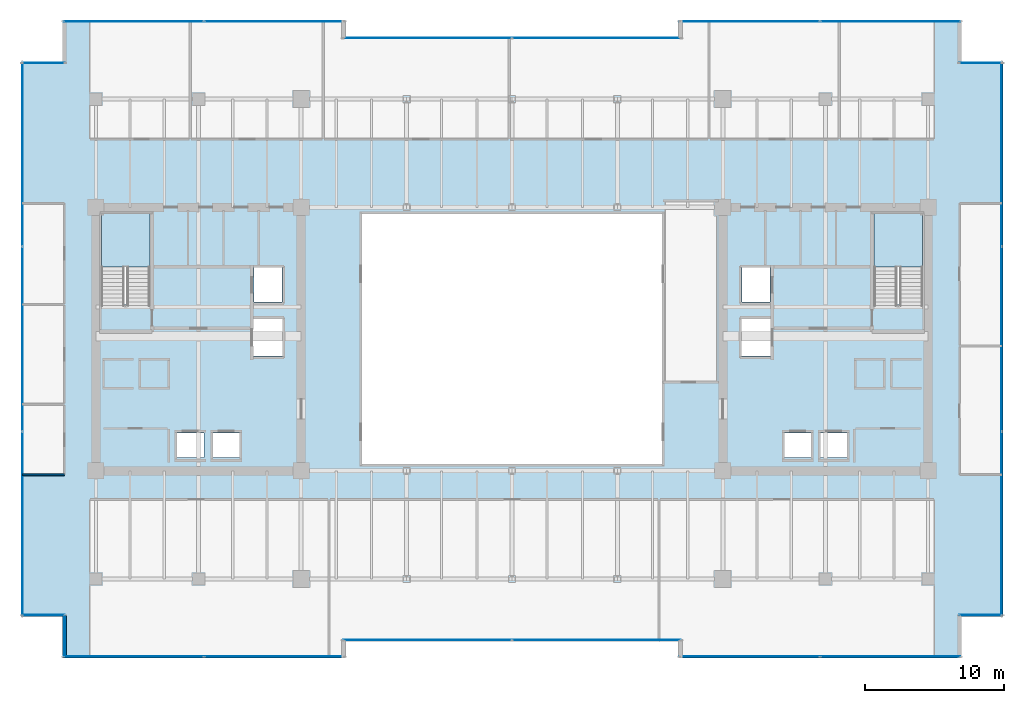
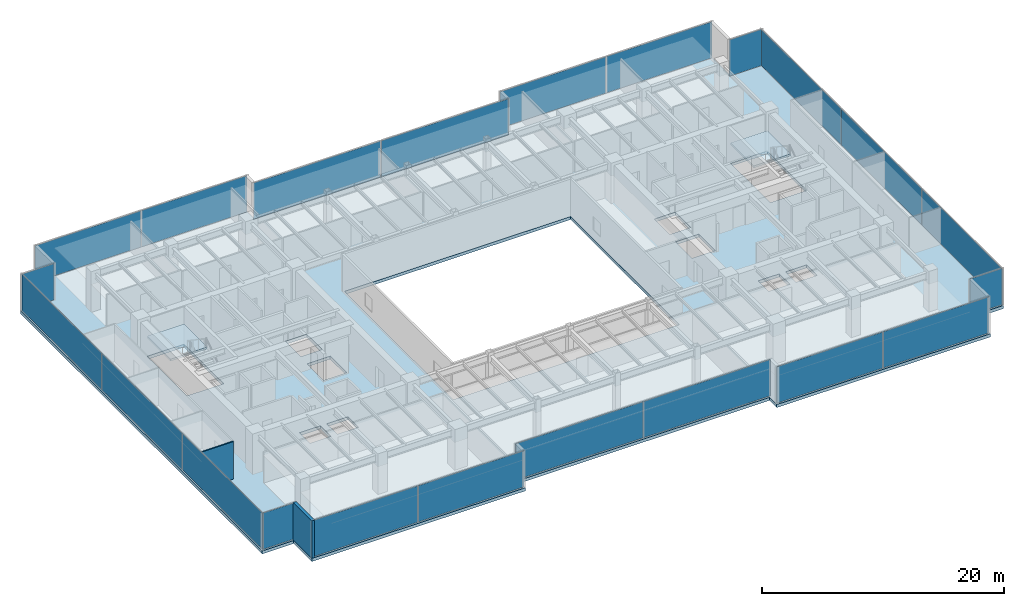
# One storey, part 24 of 33: 22 plates, 3 slabs, 2 walls, 14 elements without a shape of their own.
"""IFC4 building model written with IfcOpenShell, lengths in metres."""

import ifcopenshell
import ifcopenshell.guid

model = None  # the IFC model being written
_history = None  # IfcOwnerHistory: only IFC2X3 demands one
_inside = {}  # id of a spatial element -> (the spatial element, [elements in it])
_under = {}  # id of a project, library or spatial element -> (it, [spatial elements below it])
_declared = {}  # id of a project -> (the project, [libraries it declares])
_typed = {}  # id of a type object -> (the type object, [elements of that type])
_made_of = {}  # id of a material, layer set ... -> (it, [elements and type objects made of it])


def new_model(schema):
    """Start an empty IFC model of exactly this schema.

    Asked for "IFC4X3", IfcOpenShell would pick the latest addendum, in which some entities
    have other attributes; the version numbers below select the first issue.
    IFC2X3 requires an IfcOwnerHistory on every rooted entity: one is made here for all.
    """
    global model, _history
    if schema == "IFC4X3":
        model = ifcopenshell.file(schema_version=(4, 3, 0, 0))
    else:
        model = ifcopenshell.file(schema=schema)
    _inside.clear()
    _under.clear()
    _declared.clear()
    _typed.clear()
    _made_of.clear()
    _history = None
    if model.schema == "IFC2X3":
        org = make("IfcOrganization", Name="unknown")
        user = make(
            "IfcPersonAndOrganization",
            ThePerson=make("IfcPerson", FamilyName="unknown"),
            TheOrganization=org,
        )
        app = make(
            "IfcApplication",
            ApplicationDeveloper=org,
            Version="unknown",
            ApplicationFullName="unknown",
            ApplicationIdentifier="unknown",
        )
        _history = make(
            "IfcOwnerHistory",
            OwningUser=user,
            OwningApplication=app,
            ChangeAction="ADDED",
            CreationDate=0,
        )
    return model


def make(cls, **values):
    """One entity of the class cls with the attributes given. An attribute that is None is left unset."""
    return model.create_entity(
        cls, **{name: value for name, value in values.items() if value is not None}
    )


def rooted(cls, **values):
    """An entity with a GlobalId (a new one), such as an element, a storey or a relation."""
    return make(cls, GlobalId=ifcopenshell.guid.new(), OwnerHistory=_history, **values)


def si_unit(unit_type, name, prefix=None):
    """IfcSIUnit, for example si_unit("LENGTHUNIT", "METRE", prefix="MILLI")."""
    return make("IfcSIUnit", UnitType=unit_type, Prefix=prefix, Name=name)


def assignment(units):
    """IfcUnitAssignment: the units of a project."""
    return None if units is None else make("IfcUnitAssignment", Units=units)


def point(xyz):
    """IfcCartesianPoint."""
    return None if xyz is None else make("IfcCartesianPoint", Coordinates=xyz)


def direction(xyz):
    """IfcDirection."""
    return None if xyz is None else make("IfcDirection", DirectionRatios=xyz)


def frame(location, z_axis=None, x_axis=None):
    """IfcAxis2Placement3D, a coordinate frame: its origin and axes. An axis left out is left unset."""
    return make(
        "IfcAxis2Placement3D",
        Location=point(location),
        Axis=direction(z_axis),
        RefDirection=direction(x_axis),
    )


def frame_2d(location, x_axis=None):
    """IfcAxis2Placement2D, a coordinate frame in the plane: its origin and x axis."""
    return make(
        "IfcAxis2Placement2D", Location=point(location), RefDirection=direction(x_axis)
    )


def origin():
    """The frame at (0, 0, 0) with its axes left unset."""
    return frame((0.0, 0.0, 0.0))


def origin_2d():
    """The frame at (0, 0) in the plane with its x axis left unset."""
    return frame_2d((0.0, 0.0))


def place(relative_to, where):
    """IfcLocalPlacement: puts the frame where relative to a parent placement (None: the world)."""
    return make(
        "IfcLocalPlacement", PlacementRelTo=relative_to, RelativePlacement=where
    )


def context(
    kind, dimensions, precision=None, world=None, true_north=None, identifier=None
):
    """IfcGeometricRepresentationContext, for example the 3D "Model" context."""
    return make(
        "IfcGeometricRepresentationContext",
        ContextIdentifier=identifier,
        ContextType=kind,
        CoordinateSpaceDimension=dimensions,
        Precision=precision,
        WorldCoordinateSystem=world,
        TrueNorth=true_north,
    )


def subcontext(parent, identifier, kind, view, scale=None):
    """IfcGeometricRepresentationSubContext, for example "Body" below "Model"."""
    return make(
        "IfcGeometricRepresentationSubContext",
        ContextIdentifier=identifier,
        ContextType=kind,
        ParentContext=parent,
        TargetScale=scale,
        TargetView=view,
    )


def project(units=None, contexts=None):
    """IfcProject with its units and contexts."""
    return rooted(
        "IfcProject",
        Name="project",
        RepresentationContexts=contexts,
        UnitsInContext=assignment(units),
    )


def spatial(cls, under=None, at=None, **own):
    """A site, building, storey or space (cls), placed at a placement, below another one or the project."""
    s = rooted(cls, ObjectPlacement=at, **own)
    if under is not None:
        _under.setdefault(under.id(), (under, []))[1].append(s)
    return s


def polyline(points):
    """IfcPolyline through the points."""
    return make("IfcPolyline", Points=[point(p) for p in points])


def profile(cls, at=None, kind="AREA", **sizes):
    """A parametric profile (cls). Its sizes go by their IFC names, for example OverallWidth=200.0."""
    return make(cls, ProfileType=kind, Position=at, **sizes)


def rectangle(**sizes):
    """IfcRectangleProfileDef."""
    return profile("IfcRectangleProfileDef", **sizes)


def outline(outer, holes=None, kind="AREA"):
    """IfcArbitraryClosedProfileDef: a profile drawn as a closed curve; with holes, ...WithVoids."""
    if holes is None:
        return make("IfcArbitraryClosedProfileDef", ProfileType=kind, OuterCurve=outer)
    return make(
        "IfcArbitraryProfileDefWithVoids",
        ProfileType=kind,
        OuterCurve=outer,
        InnerCurves=holes,
    )


def extrude(swept, where, along, depth):
    """IfcExtrudedAreaSolid: the profile swept, set in the frame where, extruded along a direction by depth."""
    return make(
        "IfcExtrudedAreaSolid",
        SweptArea=swept,
        Position=where,
        ExtrudedDirection=direction(along),
        Depth=depth,
    )


def shape(context_of_items, identifier, shape_type, items):
    """IfcShapeRepresentation: the items that make up one representation, for example the "Body"."""
    return make(
        "IfcShapeRepresentation",
        ContextOfItems=context_of_items,
        RepresentationIdentifier=identifier,
        RepresentationType=shape_type,
        Items=items,
    )


def source(mapping_origin, context_of_items, identifier, shape_type, items):
    """IfcRepresentationMap: a shape defined once, which mapped items show again and again."""
    return make(
        "IfcRepresentationMap",
        MappingOrigin=mapping_origin,
        MappedRepresentation=shape(context_of_items, identifier, shape_type, items),
    )


def transform(
    local_origin,
    x_axis=None,
    y_axis=None,
    z_axis=None,
    scale=None,
    scale2=None,
    scale3=None,
    uniform=True,
):
    """IfcCartesianTransformationOperator3D, or its non-uniform kind. x_axis, y_axis, z_axis: its Axis1, 2, 3."""
    if uniform:
        return make(
            "IfcCartesianTransformationOperator3D",
            Axis1=direction(x_axis),
            Axis2=direction(y_axis),
            LocalOrigin=point(local_origin),
            Scale=scale,
            Axis3=direction(z_axis),
        )
    return make(
        "IfcCartesianTransformationOperator3DnonUniform",
        Axis1=direction(x_axis),
        Axis2=direction(y_axis),
        LocalOrigin=point(local_origin),
        Scale=scale,
        Axis3=direction(z_axis),
        Scale2=scale2,
        Scale3=scale3,
    )


def mapped(mapping_source, mapping_target):
    """IfcMappedItem: shows the shape of a source again, moved by a transform."""
    return make(
        "IfcMappedItem", MappingSource=mapping_source, MappingTarget=mapping_target
    )


def material(Name=None, Category=None):
    """IfcMaterial."""
    return make("IfcMaterial", Name=Name, Category=Category)


def layer(
    of_material, thickness, ventilated=None, Name=None, Category=None, Priority=None
):
    """IfcMaterialLayer: one layer of a wall or slab, of a material (None: an air gap)."""
    return make(
        "IfcMaterialLayer",
        Material=of_material,
        LayerThickness=thickness,
        IsVentilated=ventilated,
        Name=Name,
        Category=Category,
        Priority=Priority,
    )


def layer_set(layers, Name=None):
    """IfcMaterialLayerSet."""
    return make("IfcMaterialLayerSet", MaterialLayers=layers, LayerSetName=Name)


def made_of(thing, what):
    """Note that an element or type object is made of a material, layer set ...; save() writes the relation."""
    if what is not None:
        _made_of.setdefault(what.id(), (what, []))[1].append(thing)
    return thing


def type_object(cls, material=None, **own):
    """A type object (cls), such as IfcWallType, which elements share."""
    return made_of(rooted(cls, **own), material)


def type_shapes(of_type, sources):
    """Give a type object the sources (RepresentationMaps) that its elements show as mapped items."""
    of_type.RepresentationMaps = sources


def element(
    cls,
    number,
    at=None,
    inside=None,
    cuts=None,
    type_object=None,
    material=None,
    context=None,
    identifier="Body",
    shape_type=None,
    held_by="IfcProductDefinitionShape",
    body=None,
    shapes=None,
    **own,
):
    """One element of the class cls, such as IfcWall. Its Tag is "e" and its number.

    at: its placement. inside: the storey or other place that contains it. cuts: it is an
    opening in that element (IfcRelVoidsElement). A single representation is given by context,
    identifier, shape_type and body (its items); several are given by shapes. held_by: the class
    of the entity that holds the representations. save() writes the other relations.
    """
    e = rooted(cls, Tag="e%d" % number, ObjectPlacement=at, **own)
    if body is not None:
        shapes = [shape(context, identifier, shape_type, body)]
    if shapes is not None:
        e.Representation = make(held_by, Representations=shapes)
    if inside is not None:
        _inside.setdefault(inside.id(), (inside, []))[1].append(e)
    if cuts is not None:
        rooted(
            "IfcRelVoidsElement", RelatingBuildingElement=cuts, RelatedOpeningElement=e
        )
    if type_object is not None:
        _typed.setdefault(type_object.id(), (type_object, []))[1].append(e)
    return made_of(e, material)


def aggregate(whole, parts):
    """IfcRelAggregates: a whole, such as a stair, and the parts it consists of."""
    return rooted("IfcRelAggregates", RelatingObject=whole, RelatedObjects=parts)


def save(model, path):
    """Write the relations noted so far, then the file.

    IfcRelAggregates (storeys below a building ...), IfcRelContainedInSpatialStructure (elements
    in a storey), IfcRelDefinesByType, IfcRelAssociatesMaterial and IfcRelDeclares: one each for
    every whole, place, type object, material and project.
    """
    for whole, parts in _under.values():
        aggregate(whole, parts)
    for where, things in _inside.values():
        rooted(
            "IfcRelContainedInSpatialStructure",
            RelatedElements=things,
            RelatingStructure=where,
        )
    for kind, things in _typed.values():
        rooted("IfcRelDefinesByType", RelatedObjects=things, RelatingType=kind)
    for what, things in _made_of.values():
        rooted("IfcRelAssociatesMaterial", RelatedObjects=things, RelatingMaterial=what)
    for by, libraries in _declared.values():
        rooted("IfcRelDeclares", RelatingContext=by, RelatedDefinitions=libraries)
    model.write(path)


model = new_model("IFC4")

# Units and contexts
model_context = context("Model", 3, precision=1e-05, world=origin(), true_north=direction((0.0, 1.0)))
body_context = subcontext(model_context, "Body", "Model", "MODEL_VIEW")
ifc_project = project(units=[si_unit("LENGTHUNIT", "METRE"), si_unit("AREAUNIT", "SQUARE_METRE"), si_unit("VOLUMEUNIT", "CUBIC_METRE"), si_unit("PLANEANGLEUNIT", "RADIAN"), si_unit("MASSUNIT", "GRAM", prefix="KILO")], contexts=[model_context])

# Site, building, storey
site_placement = place(None, origin())
site = spatial("IfcSite", under=ifc_project, at=site_placement, CompositionType="ELEMENT")
building_placement = place(site_placement, origin())
building = spatial("IfcBuilding", under=site, at=building_placement, Name="Haelvirn Gate Laboratories", CompositionType="ELEMENT")
storey_placement = place(building_placement, frame((0.0, 0.0, 137.89990234375)))
storey = spatial("IfcBuildingStorey", under=building, at=storey_placement, Name="L33", CompositionType="ELEMENT", Elevation=137.89990234375)

# Stair, slab
ifc_material_1 = material(Name="Concrete C40/50", Category="concrete")
stair_type = type_object("IfcStairType", Name="ST-DOG-1650-R22", PredefinedType="HALF_TURN_STAIR", material=ifc_material_1)
stair_1_placement = place(storey_placement, origin())
stair_1 = element("IfcStair", 1, at=stair_1_placement, inside=storey, type_object=stair_type, Name="L33 Escape Stair ST1", PredefinedType="HALF_TURN_STAIR")
ifc_layer_1 = layer(ifc_material_1, 0.199951171875, Name="SL-STAIR-LND")
ifc_layer_set_1 = layer_set([ifc_layer_1], Name="Concrete C40/50")
slab_type_1 = type_object("IfcSlabType", Name="SL-STAIR-LND", PredefinedType="LANDING", material=ifc_layer_set_1)
slab_1_placement = place(storey_placement, frame((0.0, 0.0, 1.85009765625)))
slab_1 = element("IfcSlab", 2, at=slab_1_placement, type_object=slab_type_1, Name="ST1 landing 1", PredefinedType="LANDING", context=body_context, shape_type="SweptSolid", body=[
    extrude(outline(polyline([(11.300048828125, 29.5), (11.300048828125, 33.35009765625), (7.800048828125, 33.35009765625), (7.800048828125, 29.5), (11.300048828125, 29.5)])), origin(), (0.0, 0.0, 1.0), 0.199951171875),
])
aggregate(stair_1, [slab_1])

stair_2_placement = place(storey_placement, origin())
stair_2 = element("IfcStair", 3, at=stair_2_placement, inside=storey, type_object=stair_type, Name="L33 Escape Stair ST2", PredefinedType="HALF_TURN_STAIR")
slab_2_placement = place(storey_placement, frame((0.0, 0.0, 1.85009765625)))
slab_2 = element("IfcSlab", 4, at=slab_2_placement, type_object=slab_type_1, Name="ST2 landing 1", PredefinedType="LANDING", context=body_context, shape_type="SweptSolid", body=[
    extrude(outline(polyline([(67.0, 29.5), (67.0, 33.35009765625), (63.5, 33.35009765625), (63.5, 29.5), (67.0, 29.5)])), origin(), (0.0, 0.0, 1.0), 0.199951171875),
])
aggregate(stair_2, [slab_2])

# Slab
ifc_layer_2 = layer(ifc_material_1, 0.31005859375, Name="SL-Z2-310")
ifc_layer_set_2 = layer_set([ifc_layer_2], Name="Concrete C40/50")
slab_type_2 = type_object("IfcSlabType", Name="SL-Z2-310", PredefinedType="FLOOR", material=ifc_layer_set_2)
slab_3_placement = place(storey_placement, frame((0.0, 0.0, -0.309814453125)))
element("IfcSlab", 5, at=slab_3_placement, inside=storey, type_object=slab_type_2, Name="L33 Structural Slab MAIN", PredefinedType="FLOOR", context=body_context, shape_type="SweptSolid", body=[
    extrude(outline(polyline([(5.0, 1.300048828125), (25.39990234375, 1.300048828125), (25.39990234375, 2.5), (49.39990234375, 2.5), (49.39990234375, 1.300048828125), (69.800048828125, 1.300048828125), (69.800048828125, 4.300048828125), (72.800048828125, 4.300048828125), (72.800048828125, 44.300048828125), (69.800048828125, 44.300048828125), (69.800048828125, 47.300048828125), (49.39990234375, 47.300048828125), (49.39990234375, 46.10009765625), (25.39990234375, 46.10009765625), (25.39990234375, 47.300048828125), (5.0, 47.300048828125), (5.0, 44.300048828125), (2.0, 44.300048828125), (2.0, 4.300048828125), (5.0, 4.300048828125), (5.0, 1.300048828125)]), holes=[polyline([(26.60009765625, 15.300048828125), (48.199951171875, 15.300048828125), (48.199951171875, 33.300048828125), (26.60009765625, 33.300048828125), (26.60009765625, 15.300048828125)]), polyline([(11.300048828125, 26.780029296875), (11.300048828125, 33.35009765625), (7.800048828125, 33.35009765625), (7.800048828125, 26.780029296875), (11.300048828125, 26.780029296875)]), polyline([(67.0, 26.780029296875), (67.0, 33.35009765625), (63.5, 33.35009765625), (63.5, 26.780029296875), (67.0, 26.780029296875)]), polyline([(13.18994140625, 15.77001953125), (15.2099609375, 15.77001953125), (15.2099609375, 17.510009765625), (13.18994140625, 17.510009765625), (13.18994140625, 15.77001953125)]), polyline([(15.7900390625, 15.77001953125), (17.81005859375, 15.77001953125), (17.81005859375, 17.510009765625), (15.7900390625, 17.510009765625), (15.7900390625, 15.77001953125)]), polyline([(18.7900390625, 26.969970703125), (20.81005859375, 26.969970703125), (20.81005859375, 29.510009765625), (18.7900390625, 29.510009765625), (18.7900390625, 26.969970703125)]), polyline([(18.68994140625, 23.070068359375), (20.909912109375, 23.070068359375), (20.909912109375, 25.81005859375), (18.68994140625, 25.81005859375), (18.68994140625, 23.070068359375)]), polyline([(59.590087890625, 15.77001953125), (61.610107421875, 15.77001953125), (61.610107421875, 17.510009765625), (59.590087890625, 17.510009765625), (59.590087890625, 15.77001953125)]), polyline([(56.989990234375, 15.77001953125), (59.010009765625, 15.77001953125), (59.010009765625, 17.510009765625), (56.989990234375, 17.510009765625), (56.989990234375, 15.77001953125)]), polyline([(53.989990234375, 26.969970703125), (56.010009765625, 26.969970703125), (56.010009765625, 29.510009765625), (53.989990234375, 29.510009765625), (53.989990234375, 26.969970703125)]), polyline([(53.889892578125, 23.070068359375), (56.110107421875, 23.070068359375), (56.110107421875, 25.81005859375), (53.889892578125, 25.81005859375), (53.889892578125, 23.070068359375)])]), origin(), (0.0, 0.0, 1.0), 0.309814453125),
])

# Curtain wall, plates
ifc_material_2 = material(Name="Anodised bronze unitised aluminium & triple low-E glass", Category="aluminium")
ifc_layer_3 = layer(ifc_material_2, 0.179931640625, Name="CW-SYS-3")
ifc_layer_set_3 = layer_set([ifc_layer_3], Name="Anodised bronze unitised aluminium & triple low-E glass")
curtain_wall_type_1 = type_object("IfcCurtainWallType", Name="CW-SYS-3", PredefinedType="NOTDEFINED", material=ifc_layer_set_3)
curtain_wall_1_placement = place(storey_placement, origin())
curtain_wall_1 = element("IfcCurtainWall", 6, at=curtain_wall_1_placement, inside=storey, type_object=curtain_wall_type_1, Name="L33 Unitised Curtain Wall CW-L33-P0-E00-1", PredefinedType="NOTDEFINED")
ifc_material_3 = material(Name="High-selectivity bronze triple IGU 40 mm", Category="glass")
ifc_layer_4 = layer(ifc_material_3, 0.0400390625, Name="CWP-IGU-40")
ifc_layer_set_4 = layer_set([ifc_layer_4], Name="High-selectivity bronze triple IGU 40 mm")
plate_type_1 = type_object("IfcPlateType", Name="CWP-IGU-40", PredefinedType="CURTAIN_PANEL", material=ifc_layer_set_4)
shared_shape_1 = source(origin(), body_context, "Body", "SweptSolid", [
    extrude(rectangle(XDim=10.08740234375, YDim=0.0400390625, at=origin_2d()), origin(), (0.0, 0.0, 1.0), 3.659912109375),
])
plate_1_placement = place(storey_placement, frame((10.11865234375, 1.39990234375, 0.06494140625), z_axis=(0.0, 0.0, 1.0), x_axis=(1.0, 0.0, 0.0)))
plate_1 = element("IfcPlate", 7, at=plate_1_placement, type_object=plate_type_1, Name="CW3 panel 1.1", PredefinedType="CURTAIN_PANEL", context=body_context, shape_type="MappedRepresentation", body=[
    mapped(shared_shape_1, transform((0.0, 0.0, 0.0), scale=1.0)),
])
plate_2_placement = place(storey_placement, frame((20.28125, 1.39990234375, 0.06494140625), z_axis=(0.0, 0.0, 1.0), x_axis=(1.0, 0.0, 0.0)))
plate_2 = element("IfcPlate", 8, at=plate_2_placement, type_object=plate_type_1, Name="CW3 panel 2.1", PredefinedType="CURTAIN_PANEL", context=body_context, shape_type="MappedRepresentation", body=[
    mapped(shared_shape_1, transform((0.0, 0.0, 0.0), scale=1.0)),
])
aggregate(curtain_wall_1, [plate_1, plate_2])

curtain_wall_2_placement = place(storey_placement, origin())
curtain_wall_2 = element("IfcCurtainWall", 9, at=curtain_wall_2_placement, inside=storey, type_object=curtain_wall_type_1, Name="L33 Unitised Curtain Wall CW-L33-P0-E04-1", PredefinedType="NOTDEFINED")
plate_3_placement = place(storey_placement, frame((54.518798828125, 1.39990234375, 0.06494140625), z_axis=(0.0, 0.0, 1.0), x_axis=(1.0, 0.0, 0.0)))
plate_3 = element("IfcPlate", 10, at=plate_3_placement, type_object=plate_type_1, Name="CW3 panel 1.1", PredefinedType="CURTAIN_PANEL", context=body_context, shape_type="MappedRepresentation", body=[
    mapped(shared_shape_1, transform((0.0, 0.0, 0.0), scale=1.0)),
])
plate_4_placement = place(storey_placement, frame((64.68115234375, 1.39990234375, 0.06494140625), z_axis=(0.0, 0.0, 1.0), x_axis=(1.0, 0.0, 0.0)))
plate_4 = element("IfcPlate", 11, at=plate_4_placement, type_object=plate_type_1, Name="CW3 panel 2.1", PredefinedType="CURTAIN_PANEL", context=body_context, shape_type="MappedRepresentation", body=[
    mapped(shared_shape_1, transform((0.0, 0.0, 0.0), scale=1.0)),
])
aggregate(curtain_wall_2, [plate_3, plate_4])

curtain_wall_3_placement = place(storey_placement, origin())
curtain_wall_3 = element("IfcCurtainWall", 12, at=curtain_wall_3_placement, inside=storey, type_object=curtain_wall_type_1, Name="L33 Unitised Curtain Wall CW-L33-P0-E10-1", PredefinedType="NOTDEFINED")
plate_5_placement = place(storey_placement, frame((54.518798828125, 47.199951171875, 0.06494140625), z_axis=(0.0, 0.0, 1.0), x_axis=(1.0, 0.0, 0.0)))
plate_5 = element("IfcPlate", 13, at=plate_5_placement, type_object=plate_type_1, Name="CW3 panel 1.1", PredefinedType="CURTAIN_PANEL", context=body_context, shape_type="MappedRepresentation", body=[
    mapped(shared_shape_1, transform((0.0, 0.0, 0.0), scale=1.0)),
])
plate_6_placement = place(storey_placement, frame((64.68115234375, 47.199951171875, 0.06494140625), z_axis=(0.0, 0.0, 1.0), x_axis=(1.0, 0.0, 0.0)))
plate_6 = element("IfcPlate", 14, at=plate_6_placement, type_object=plate_type_1, Name="CW3 panel 2.1", PredefinedType="CURTAIN_PANEL", context=body_context, shape_type="MappedRepresentation", body=[
    mapped(shared_shape_1, transform((0.0, 0.0, 0.0), scale=1.0)),
])
aggregate(curtain_wall_3, [plate_5, plate_6])

curtain_wall_4_placement = place(storey_placement, origin())
curtain_wall_4 = element("IfcCurtainWall", 15, at=curtain_wall_4_placement, inside=storey, type_object=curtain_wall_type_1, Name="L33 Unitised Curtain Wall CW-L33-P0-E14-1", PredefinedType="NOTDEFINED")
plate_7_placement = place(storey_placement, frame((10.11865234375, 47.199951171875, 0.06494140625), z_axis=(0.0, 0.0, 1.0), x_axis=(1.0, 0.0, 0.0)))
plate_7 = element("IfcPlate", 16, at=plate_7_placement, type_object=plate_type_1, Name="CW3 panel 1.1", PredefinedType="CURTAIN_PANEL", context=body_context, shape_type="MappedRepresentation", body=[
    mapped(shared_shape_1, transform((0.0, 0.0, 0.0), scale=1.0)),
])
plate_8_placement = place(storey_placement, frame((20.28125, 47.199951171875, 0.06494140625), z_axis=(0.0, 0.0, 1.0), x_axis=(1.0, 0.0, 0.0)))
plate_8 = element("IfcPlate", 17, at=plate_8_placement, type_object=plate_type_1, Name="CW3 panel 2.1", PredefinedType="CURTAIN_PANEL", context=body_context, shape_type="MappedRepresentation", body=[
    mapped(shared_shape_1, transform((0.0, 0.0, 0.0), scale=1.0)),
])
aggregate(curtain_wall_4, [plate_7, plate_8])

curtain_wall_5_placement = place(storey_placement, origin())
curtain_wall_5 = element("IfcCurtainWall", 18, at=curtain_wall_5_placement, inside=storey, type_object=curtain_wall_type_1, Name="L33 Unitised Curtain Wall CW-L33-P0-E02-1", PredefinedType="NOTDEFINED")
shared_shape_2 = source(origin(), body_context, "Body", "SweptSolid", [
    extrude(rectangle(XDim=12.12744140625, YDim=0.0400390625, at=origin_2d()), origin(), (0.0, 0.0, 1.0), 3.659912109375),
])
plate_9_placement = place(storey_placement, frame((31.298828125, 2.60009765625, 0.06494140625), z_axis=(0.0, 0.0, 1.0), x_axis=(1.0, 0.0, 0.0)))
plate_9 = element("IfcPlate", 19, at=plate_9_placement, type_object=plate_type_1, Name="CW3 panel 1.1", PredefinedType="CURTAIN_PANEL", context=body_context, shape_type="MappedRepresentation", body=[
    mapped(shared_shape_2, transform((0.0, 0.0, 0.0), scale=1.0)),
])
plate_10_placement = place(storey_placement, frame((43.501220703125, 2.60009765625, 0.06494140625), z_axis=(0.0, 0.0, 1.0), x_axis=(1.0, 0.0, 0.0)))
plate_10 = element("IfcPlate", 20, at=plate_10_placement, type_object=plate_type_1, Name="CW3 panel 2.1", PredefinedType="CURTAIN_PANEL", context=body_context, shape_type="MappedRepresentation", body=[
    mapped(shared_shape_2, transform((0.0, 0.0, 0.0), scale=1.0)),
])
aggregate(curtain_wall_5, [plate_9, plate_10])

curtain_wall_6_placement = place(storey_placement, origin())
curtain_wall_6 = element("IfcCurtainWall", 21, at=curtain_wall_6_placement, inside=storey, type_object=curtain_wall_type_1, Name="L33 Unitised Curtain Wall CW-L33-P0-E12-1", PredefinedType="NOTDEFINED")
plate_11_placement = place(storey_placement, frame((31.298828125, 46.0, 0.06494140625), z_axis=(0.0, 0.0, 1.0), x_axis=(1.0, 0.0, 0.0)))
plate_11 = element("IfcPlate", 22, at=plate_11_placement, type_object=plate_type_1, Name="CW3 panel 1.1", PredefinedType="CURTAIN_PANEL", context=body_context, shape_type="MappedRepresentation", body=[
    mapped(shared_shape_2, transform((0.0, 0.0, 0.0), scale=1.0)),
])
plate_12_placement = place(storey_placement, frame((43.501220703125, 46.0, 0.06494140625), z_axis=(0.0, 0.0, 1.0), x_axis=(1.0, 0.0, 0.0)))
plate_12 = element("IfcPlate", 23, at=plate_12_placement, type_object=plate_type_1, Name="CW3 panel 2.1", PredefinedType="CURTAIN_PANEL", context=body_context, shape_type="MappedRepresentation", body=[
    mapped(shared_shape_2, transform((0.0, 0.0, 0.0), scale=1.0)),
])
aggregate(curtain_wall_6, [plate_11, plate_12])

# Curtain wall, plate
ifc_layer_5 = layer(ifc_material_2, 0.181884765625, Name="CW-SYS-5")
ifc_layer_set_5 = layer_set([ifc_layer_5], Name="Anodised bronze unitised aluminium & triple low-E glass")
curtain_wall_type_2 = type_object("IfcCurtainWallType", Name="CW-SYS-5", PredefinedType="NOTDEFINED", material=ifc_layer_set_5)
curtain_wall_7_placement = place(storey_placement, origin())
curtain_wall_7 = element("IfcCurtainWall", 24, at=curtain_wall_7_placement, inside=storey, type_object=curtain_wall_type_2, Name="L33 Unitised Curtain Wall CW-L33-P0-E06-1", PredefinedType="NOTDEFINED")
ifc_material_4 = material(Name="Clear low-iron notched-corner triple IGU 42 mm", Category="glass")
ifc_layer_6 = layer(ifc_material_4, 0.0419921875, Name="CWP-NTC-42")
ifc_layer_set_6 = layer_set([ifc_layer_6], Name="Clear low-iron notched-corner triple IGU 42 mm")
plate_type_2 = type_object("IfcPlateType", Name="CWP-NTC-42", PredefinedType="CURTAIN_PANEL", material=ifc_layer_set_6)
shared_shape_3 = source(origin(), body_context, "Body", "SweptSolid", [
    extrude(rectangle(XDim=3.080078125, YDim=0.0419921875, at=origin_2d()), origin(), (0.0, 0.0, 1.0), 3.659912109375),
])
type_shapes(plate_type_2, [shared_shape_3])
plate_13_placement = place(storey_placement, frame((71.179931640625, 4.39990234375, 0.06494140625), z_axis=(0.0, 0.0, 1.0), x_axis=(1.0, 0.0, 0.0)))
plate_13 = element("IfcPlate", 25, at=plate_13_placement, type_object=plate_type_2, Name="CW5 panel 1.1", PredefinedType="CURTAIN_PANEL", context=body_context, shape_type="MappedRepresentation", body=[
    mapped(shared_shape_3, transform((0.0, 0.0, 0.0), scale=1.0)),
])
aggregate(curtain_wall_7, [plate_13])

curtain_wall_8_placement = place(storey_placement, origin())
curtain_wall_8 = element("IfcCurtainWall", 26, at=curtain_wall_8_placement, inside=storey, type_object=curtain_wall_type_2, Name="L33 Unitised Curtain Wall CW-L33-P0-E08-1", PredefinedType="NOTDEFINED")
plate_14_placement = place(storey_placement, frame((71.179931640625, 44.199951171875, 0.06494140625), z_axis=(0.0, 0.0, 1.0), x_axis=(1.0, 0.0, 0.0)))
plate_14 = element("IfcPlate", 27, at=plate_14_placement, type_object=plate_type_2, Name="CW5 panel 1.1", PredefinedType="CURTAIN_PANEL", context=body_context, shape_type="MappedRepresentation", body=[
    mapped(shared_shape_3, transform((0.0, 0.0, 0.0), scale=1.0)),
])
aggregate(curtain_wall_8, [plate_14])

curtain_wall_9_placement = place(storey_placement, origin())
curtain_wall_9 = element("IfcCurtainWall", 28, at=curtain_wall_9_placement, inside=storey, type_object=curtain_wall_type_2, Name="L33 Unitised Curtain Wall CW-L33-P0-E16-1", PredefinedType="NOTDEFINED")
plate_15_placement = place(storey_placement, frame((3.6201171875, 44.199951171875, 0.06494140625), z_axis=(0.0, 0.0, 1.0), x_axis=(1.0, 0.0, 0.0)))
plate_15 = element("IfcPlate", 29, at=plate_15_placement, type_object=plate_type_2, Name="CW5 panel 1.1", PredefinedType="CURTAIN_PANEL", context=body_context, shape_type="MappedRepresentation", body=[
    mapped(shared_shape_3, transform((0.0, 0.0, 0.0), scale=1.0)),
])
aggregate(curtain_wall_9, [plate_15])

curtain_wall_10_placement = place(storey_placement, origin())
curtain_wall_10 = element("IfcCurtainWall", 30, at=curtain_wall_10_placement, inside=storey, type_object=curtain_wall_type_2, Name="L33 Unitised Curtain Wall CW-L33-P0-E18-1", PredefinedType="NOTDEFINED")
plate_16_placement = place(storey_placement, frame((3.6201171875, 4.39990234375, 0.06494140625), z_axis=(0.0, 0.0, 1.0), x_axis=(1.0, 0.0, 0.0)))
plate_16 = element("IfcPlate", 31, at=plate_16_placement, type_object=plate_type_2, Name="CW5 panel 1.1", PredefinedType="CURTAIN_PANEL", context=body_context, shape_type="MappedRepresentation", body=[
    mapped(shared_shape_3, transform((0.0, 0.0, 0.0), scale=1.0)),
])
aggregate(curtain_wall_10, [plate_16])

# Curtain wall, plates
curtain_wall_11_placement = place(storey_placement, origin())
curtain_wall_11 = element("IfcCurtainWall", 32, at=curtain_wall_11_placement, inside=storey, type_object=curtain_wall_type_1, Name="L33 Unitised Curtain Wall CW-L33-P0-E07", PredefinedType="NOTDEFINED")
shared_shape_4 = source(origin(), body_context, "Body", "SweptSolid", [
    extrude(rectangle(XDim=13.220947265625, YDim=0.0400390625, at=origin_2d()), origin(), (0.0, 0.0, 1.0), 3.659912109375),
])
plate_17_placement = place(storey_placement, frame((72.699951171875, 10.9853515625, 0.06494140625), z_axis=(0.0, 0.0, 1.0), x_axis=(0.0, 1.0, 0.0)))
plate_17 = element("IfcPlate", 33, at=plate_17_placement, type_object=plate_type_1, Name="CW3 panel 1.1", PredefinedType="CURTAIN_PANEL", context=body_context, shape_type="MappedRepresentation", body=[
    mapped(shared_shape_4, transform((0.0, 0.0, 0.0), scale=1.0)),
])
plate_18_placement = place(storey_placement, frame((72.699951171875, 37.614501953125, 0.06494140625), z_axis=(0.0, 0.0, 1.0), x_axis=(0.0, 1.0, 0.0)))
plate_18 = element("IfcPlate", 34, at=plate_18_placement, type_object=plate_type_1, Name="CW3 panel 3.1", PredefinedType="CURTAIN_PANEL", context=body_context, shape_type="MappedRepresentation", body=[
    mapped(shared_shape_4, transform((0.0, 0.0, 0.0), scale=1.0)),
])

curtain_wall_12_placement = place(storey_placement, origin())
curtain_wall_12 = element("IfcCurtainWall", 35, at=curtain_wall_12_placement, inside=storey, type_object=curtain_wall_type_1, Name="L33 Unitised Curtain Wall CW-L33-P0-E17", PredefinedType="NOTDEFINED")
plate_19_placement = place(storey_placement, frame((2.10009765625, 37.614501953125, 0.06494140625), z_axis=(0.0, 0.0, 1.0), x_axis=(0.0, -1.0, 0.0)))
plate_19 = element("IfcPlate", 36, at=plate_19_placement, type_object=plate_type_1, Name="CW3 panel 1.1", PredefinedType="CURTAIN_PANEL", context=body_context, shape_type="MappedRepresentation", body=[
    mapped(shared_shape_4, transform((0.0, 0.0, 0.0), scale=1.0)),
])
plate_20_placement = place(storey_placement, frame((2.10009765625, 10.9853515625, 0.06494140625), z_axis=(0.0, 0.0, 1.0), x_axis=(0.0, -1.0, 0.0)))
plate_20 = element("IfcPlate", 37, at=plate_20_placement, type_object=plate_type_1, Name="CW3 panel 3.1", PredefinedType="CURTAIN_PANEL", context=body_context, shape_type="MappedRepresentation", body=[
    mapped(shared_shape_4, transform((0.0, 0.0, 0.0), scale=1.0)),
])

# Plate
shared_shape_5 = source(origin(), body_context, "Body", "SweptSolid", [
    extrude(rectangle(XDim=13.25830078125, YDim=0.0400390625, at=origin_2d()), origin(), (0.0, 0.0, 1.0), 3.659912109375),
])
type_shapes(plate_type_1, [shared_shape_1, shared_shape_2, shared_shape_4, shared_shape_5])
plate_21_placement = place(storey_placement, frame((72.699951171875, 24.300048828125, 0.06494140625), z_axis=(0.0, 0.0, 1.0), x_axis=(0.0, 1.0, 0.0)))
plate_21 = element("IfcPlate", 38, at=plate_21_placement, type_object=plate_type_1, Name="CW3 panel 2.1", PredefinedType="CURTAIN_PANEL", context=body_context, shape_type="MappedRepresentation", body=[
    mapped(shared_shape_5, transform((0.0, 0.0, 0.0), scale=1.0)),
])

aggregate(curtain_wall_11, [plate_17, plate_21, plate_18])

plate_22_placement = place(storey_placement, frame((2.10009765625, 24.300048828125, 0.06494140625), z_axis=(0.0, 0.0, 1.0), x_axis=(0.0, -1.0, 0.0)))
plate_22 = element("IfcPlate", 39, at=plate_22_placement, type_object=plate_type_1, Name="CW3 panel 2.1", PredefinedType="CURTAIN_PANEL", context=body_context, shape_type="MappedRepresentation", body=[
    mapped(shared_shape_5, transform((0.0, 0.0, 0.0), scale=1.0)),
])

aggregate(curtain_wall_12, [plate_19, plate_22, plate_20])

# Walls
ifc_material_5 = material(Name="Thermally-broken bronze aluminium rainscreen & mineral wool", Category="aluminium")
ifc_layer_7 = layer(ifc_material_5, 0.280029296875, Name="EW-TERR-280")
ifc_layer_set_7 = layer_set([ifc_layer_7], Name="Thermally-broken bronze aluminium rainscreen & mineral wool")
wall_type_1 = type_object("IfcWallType", Name="EW-TERR-280", PredefinedType="STANDARD", material=ifc_layer_set_7)
wall_1_placement = place(storey_placement, frame((5.139892578125, 4.387939453125, 0.0), z_axis=(0.0, 0.0, 1.0), x_axis=(0.0, -1.0, 0.0)))
element("IfcWall", 40, at=wall_1_placement, inside=storey, type_object=wall_type_1, Name="L33 Atrium Recess Bronze Return Wall 19", PredefinedType="STANDARD", context=body_context, shape_type="SweptSolid", body=[
    extrude(rectangle(XDim=3.087890625, YDim=0.280029296875, at=frame_2d((1.5439453125, 0.0))), origin(), (0.0, 0.0, 1.0), 3.7900390625),
])
ifc_material_6 = material(Name="Lightweight acoustic gypsum board partition", Category="gypsum")
ifc_layer_8 = layer(ifc_material_6, 0.1201171875, Name="IW-PART-120")
ifc_layer_set_8 = layer_set([ifc_layer_8], Name="Lightweight acoustic gypsum board partition")
wall_type_2 = type_object("IfcWallType", Name="IW-PART-120", PredefinedType="PARTITIONING", material=ifc_layer_set_8)
wall_2_placement = place(storey_placement, frame((2.110107421875, 14.514892578125, 0.0), z_axis=(0.0, 0.0, 1.0), x_axis=(1.0, 0.0, 0.0)))
element("IfcWall", 41, at=wall_2_placement, inside=storey, type_object=wall_type_2, Name="L33 Interior Wall IW-L33-WCAP-S", PredefinedType="PARTITIONING", context=body_context, shape_type="SweptSolid", body=[
    extrude(rectangle(XDim=3.019775390625, YDim=0.1201171875, at=frame_2d((1.509765625, 0.0))), origin(), (0.0, 0.0, 1.0), 3.7900390625),
])

save(model, "model.ifc")
